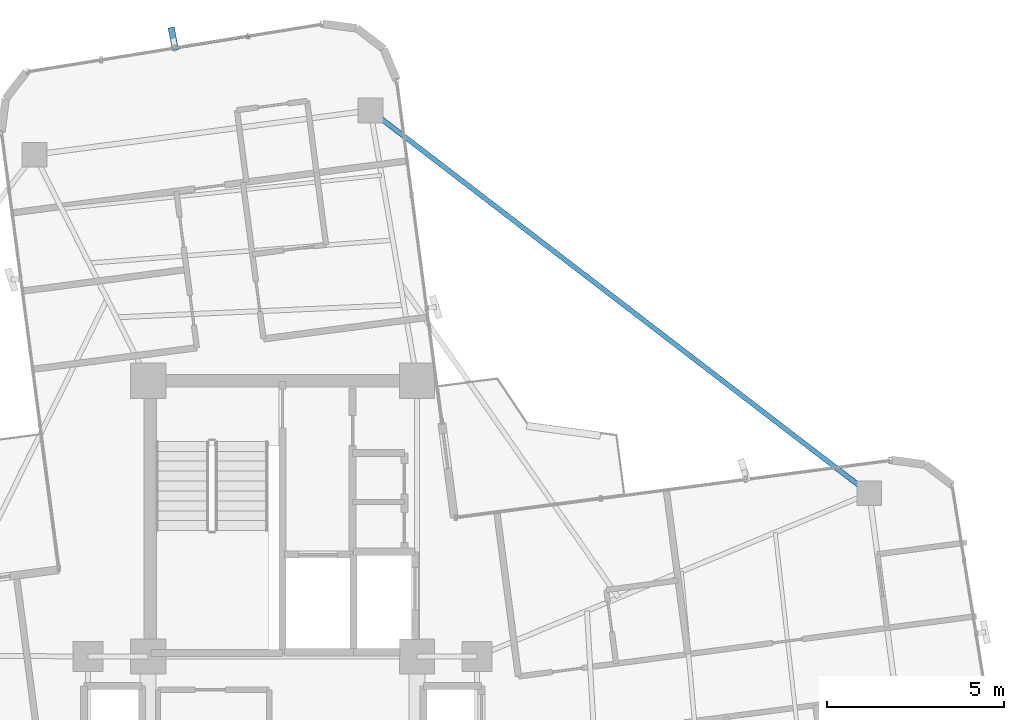
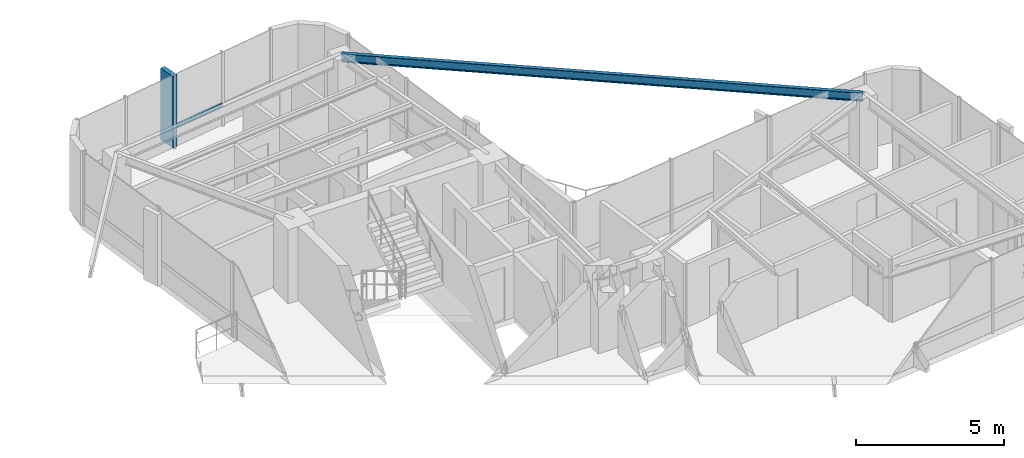
# One storey, part 15 of 23: 2 members, 1 beam, 1 element without a shape of its own.
"""IFC4 building model written with IfcOpenShell, lengths in metres."""

from ifc_helpers import new_model, si_unit, direction, frame, origin, origin_2d, place, context, subcontext, project, spatial, rectangle, hollow_rectangle, i_section, extrude, source, transform, mapped, material, material_profile, profile_set, type_object, element, aggregate, save


model = new_model("IFC4")

# Units and contexts
model_context = context("Model", 3, precision=1e-05, world=origin(), true_north=direction((0.0, 1.0)))
body_context = subcontext(model_context, "Body", "Model", "MODEL_VIEW")
ifc_project = project(units=[si_unit("LENGTHUNIT", "METRE"), si_unit("AREAUNIT", "SQUARE_METRE"), si_unit("VOLUMEUNIT", "CUBIC_METRE"), si_unit("PLANEANGLEUNIT", "RADIAN"), si_unit("MASSUNIT", "GRAM", prefix="KILO")], contexts=[model_context])

# Site, building, storey
site_placement = place(None, origin())
site = spatial("IfcSite", under=ifc_project, at=site_placement, CompositionType="ELEMENT")
building_placement = place(site_placement, origin())
building = spatial("IfcBuilding", under=site, at=building_placement, Name="Sahyath Konkavel Grand Hotel", CompositionType="ELEMENT")
storey_placement = place(building_placement, frame((0.0, 0.0, 226.60009765625)))
storey = spatial("IfcBuildingStorey", under=building, at=storey_placement, Name="L63", CompositionType="ELEMENT", Elevation=226.60009765625)

# Beam
ifc_material_1 = material(Name="Steel E350", Category="steel")
ifc_material_profile_1 = material_profile(ifc_material_1, i_section(OverallWidth=0.139892578125, OverallDepth=0.35009765625, WebThickness=0.008056640625, FlangeThickness=0.01416015625, FilletRadius=0.013916015625, at=origin_2d()), Name="ISMB 350")
ifc_profile_set_1 = profile_set([ifc_material_profile_1], Name="Steel E350")
beam_type = type_object("IfcBeamType", Name="BM-ISMB350", PredefinedType="BEAM", material=ifc_profile_set_1)
shared_shape_1 = source(origin(), body_context, "Body", "SweptSolid", [
    extrude(i_section(OverallWidth=0.139892578125, OverallDepth=0.35009765625, WebThickness=0.008056640625, FlangeThickness=0.01416015625, FilletRadius=0.013916015625, at=origin_2d()), origin(), (0.0, 0.0, 1.0), 17.779296875),
])
beam_placement = place(storey_placement, frame((16.58642578125, 7.012939453125, 2.875), z_axis=(-0.793348808894, 0.608767334395, 0.0), x_axis=(-0.608767334395, -0.793348808894, 0.0)))
element("IfcBeam", 1, at=beam_placement, inside=storey, type_object=beam_type, Name="L63 Re-Entrant Tie Beam NE", PredefinedType="BEAM", context=body_context, shape_type="MappedRepresentation", body=[
    mapped(shared_shape_1, transform((0.0, 0.0, 0.0), scale=1.0)),
])

# Curtain wall, members
ifc_material_2 = material(Name="Anodised Bronze Aluminium & Low-E Glazing", Category="aluminium")
curtain_wall_type = type_object("IfcCurtainWallType", Name="CW-ZONE4", PredefinedType="NOTDEFINED", material=ifc_material_2)
curtain_wall_placement = place(storey_placement, origin())
curtain_wall = element("IfcCurtainWall", 2, at=curtain_wall_placement, inside=storey, type_object=curtain_wall_type, Name="L63 Unitised Curtain Wall F12", PredefinedType="NOTDEFINED")
ifc_material_3 = material(Name="Warm Buff Sandstone Cladding on Concrete C50/60", Category="masonry")
ifc_material_profile_2 = material_profile(ifc_material_3, rectangle(XDim=0.179931640625, YDim=0.64990234375, at=origin_2d()), Name="FIN 180x650")
ifc_profile_set_2 = profile_set([ifc_material_profile_2], Name="Warm Buff Sandstone Cladding on Concrete C50/60")
member_type_1 = type_object("IfcMemberType", Name="FIN-SANDSTONE-650", PredefinedType="MULLION", material=ifc_profile_set_2)
shared_shape_2 = source(origin(), body_context, "Body", "SweptSolid", [
    extrude(rectangle(XDim=0.179931640625, YDim=0.64990234375, at=origin_2d()), origin(), (0.0, 0.0, 1.0), 2.9501953125),
])
member_1_placement = place(storey_placement, frame((-3.089111328125, 19.86279296875, 0.0498046875), z_axis=(0.0, 0.0, 1.0), x_axis=(0.981527141537, 0.191322947989, 0.0)))
member_1 = element("IfcMember", 3, at=member_1_placement, type_object=member_type_1, Name="L63 Sandstone Vertical Solar Fin FIN F12-2", PredefinedType="MULLION", context=body_context, shape_type="MappedRepresentation", body=[
    mapped(shared_shape_2, transform((0.0, 0.0, 0.0), scale=1.0)),
])
ifc_material_4 = material(Name="Anodised Bronze Aluminium", Category="aluminium")
ifc_material_profile_3 = material_profile(ifc_material_4, hollow_rectangle(XDim=0.080078125, YDim=0.159912109375, WallThickness=0.006103515625, at=origin_2d()), Name="RHS 160x80x6")
ifc_profile_set_3 = profile_set([ifc_material_profile_3], Name="Anodised Bronze Aluminium")
member_type_2 = type_object("IfcMemberType", Name="CW-TRN-160", PredefinedType="USERDEFINED", material=ifc_profile_set_3)
shared_shape_3 = source(origin(), body_context, "Body", "SweptSolid", [
    extrude(hollow_rectangle(XDim=0.080078125, YDim=0.159912109375, WallThickness=0.006103515625, at=origin_2d()), origin(), (0.0, 0.0, 1.0), 2.10595703125),
])
member_2_placement = place(storey_placement, frame((-0.968505859375, 19.941650390625, 0.849853515625), z_axis=(-0.987214653686, -0.159396447724, 0.0), x_axis=(0.159396447724, -0.987214653686, 0.0)))
member_2 = element("IfcMember", 4, at=member_2_placement, type_object=member_type_2, Name="L63 Curtain Wall Transom F12-1-spandrel", ObjectType="TRANSOM", PredefinedType="USERDEFINED", context=body_context, shape_type="MappedRepresentation", body=[
    mapped(shared_shape_3, transform((0.0, 0.0, 0.0), scale=1.0)),
])
aggregate(curtain_wall, [member_1, member_2])

save(model, "model.ifc")
